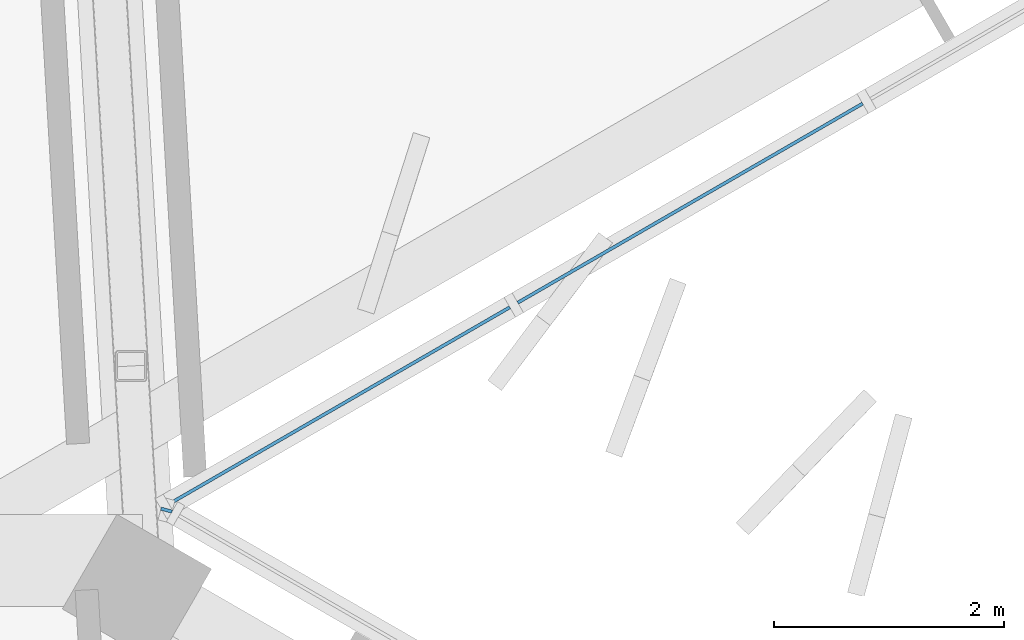
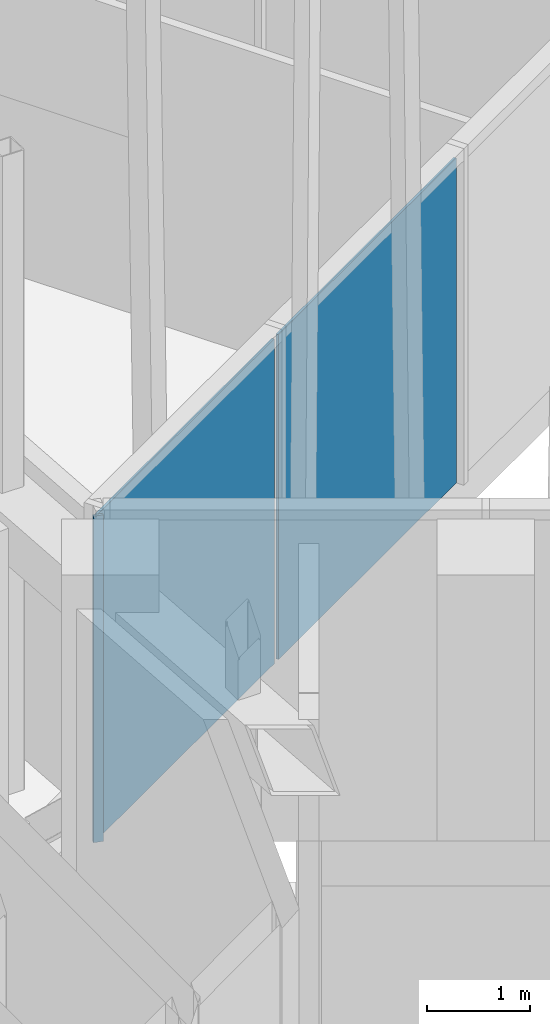
# One storey, part 16 of 29: 3 plates, 2 elements without a shape of their own.
"""IFC4 building model written with IfcOpenShell, lengths in metres."""

from ifc_helpers import new_model, si_unit, direction, frame, origin, origin_2d, place, context, subcontext, project, spatial, rectangle, extrude, material, layer, layer_set, type_object, element, aggregate, save


model = new_model("IFC4")

# Units and contexts
model_context = context("Model", 3, precision=1e-05, world=origin(), true_north=direction((0.0, 1.0)))
body_context = subcontext(model_context, "Body", "Model", "MODEL_VIEW")
ifc_project = project(units=[si_unit("LENGTHUNIT", "METRE"), si_unit("AREAUNIT", "SQUARE_METRE"), si_unit("VOLUMEUNIT", "CUBIC_METRE"), si_unit("PLANEANGLEUNIT", "RADIAN"), si_unit("MASSUNIT", "GRAM", prefix="KILO")], contexts=[model_context])

# Site, building, storey
site_placement = place(None, origin())
site = spatial("IfcSite", under=ifc_project, at=site_placement, CompositionType="ELEMENT")
building_placement = place(site_placement, origin())
building = spatial("IfcBuilding", under=site, at=building_placement, Name="Ayvan Gate Tower", CompositionType="ELEMENT")
storey_placement = place(building_placement, frame((0.0, 0.0, 186.699951171875)))
storey = spatial("IfcBuildingStorey", under=building, at=storey_placement, Name="L50", CompositionType="ELEMENT", Elevation=186.699951171875)

# Curtain wall, plates
ifc_material_1 = material(Name="Bronze anodised aluminium", Category="aluminium")
ifc_layer_1 = layer(ifc_material_1, 0.199951171875)
ifc_layer_set_1 = layer_set([ifc_layer_1], Name="Bronze anodised aluminium")
curtain_wall_type_1 = type_object("IfcCurtainWallType", Name="Stick curtain wall CW-4", PredefinedType="NOTDEFINED", material=ifc_layer_set_1)
curtain_wall_1_placement = place(storey_placement, origin())
curtain_wall_1 = element("IfcCurtainWall", 1, at=curtain_wall_1_placement, inside=storey, type_object=curtain_wall_type_1, Name="Stick curtain wall CW-4 L50", PredefinedType="NOTDEFINED")
ifc_material_2 = material(Name="Clear low-iron laminated glass", Category="glass")
ifc_layer_2 = layer(ifc_material_2, 0.028076171875)
ifc_layer_set_2 = layer_set([ifc_layer_2], Name="Clear low-iron laminated glass")
plate_type_1 = type_object("IfcPlateType", Name="Stick curtain wall CW-4 glass panel", PredefinedType="CURTAIN_PANEL", material=ifc_layer_set_2)
plate_1_placement = place(storey_placement, frame((2.614990234375, 21.35498046875, 0.0), z_axis=(0.0, 0.0, 1.0), x_axis=(0.866025403784, 0.5, 0.0)))
plate_1 = element("IfcPlate", 2, at=plate_1_placement, type_object=plate_type_1, Name="CW-4 glass panel 1", PredefinedType="CURTAIN_PANEL", context=body_context, shape_type="SweptSolid", body=[
    extrude(rectangle(XDim=3.463134765625, YDim=0.028076171875, at=origin_2d()), origin(), (0.0, 0.0, 1.0), 3.860107421875),
])
ifc_material_3 = material(Name="Pale anodised aluminium composite panel", Category="aluminium")
ifc_layer_3 = layer(ifc_material_3, 0.028076171875)
ifc_layer_set_3 = layer_set([ifc_layer_3], Name="Pale anodised aluminium composite panel")
plate_type_2 = type_object("IfcPlateType", Name="Stick curtain wall CW-4 solid panel", PredefinedType="CURTAIN_PANEL", material=ifc_layer_set_3)
plate_2_placement = place(storey_placement, frame((5.683349609375, 23.126708984375, 0.0), z_axis=(0.0, 0.0, 1.0), x_axis=(0.866025403784, 0.5, 0.0)))
plate_2 = element("IfcPlate", 3, at=plate_2_placement, type_object=plate_type_2, Name="CW-4 solid panel 2", PredefinedType="CURTAIN_PANEL", context=body_context, shape_type="SweptSolid", body=[
    extrude(rectangle(XDim=3.463134765625, YDim=0.028076171875, at=origin_2d()), origin(), (0.0, 0.0, 1.0), 3.860107421875),
])
aggregate(curtain_wall_1, [plate_1, plate_2])

# Curtain wall, plate
ifc_layer_4 = layer(ifc_material_1, 0.199951171875)
ifc_layer_set_4 = layer_set([ifc_layer_4], Name="Bronze anodised aluminium")
curtain_wall_type_2 = type_object("IfcCurtainWallType", Name="Stick curtain wall CW-6", PredefinedType="NOTDEFINED", material=ifc_layer_set_4)
curtain_wall_2_placement = place(storey_placement, origin())
curtain_wall_2 = element("IfcCurtainWall", 4, at=curtain_wall_2_placement, inside=storey, type_object=curtain_wall_type_2, Name="Stick curtain wall CW-6 L50", PredefinedType="NOTDEFINED")
ifc_layer_5 = layer(ifc_material_2, 0.028076171875)
ifc_layer_set_5 = layer_set([ifc_layer_5], Name="Clear low-iron laminated glass")
plate_type_3 = type_object("IfcPlateType", Name="Stick curtain wall CW-6 glass panel", PredefinedType="CURTAIN_PANEL", material=ifc_layer_set_5)
plate_3_placement = place(storey_placement, frame((1.128662109375, 20.45654296875, 0.0), z_axis=(0.0, 0.0, 1.0), x_axis=(-0.965925826289, 0.258819045103, 0.0)))
plate_3 = element("IfcPlate", 5, at=plate_3_placement, type_object=plate_type_3, Name="CW-6 glass panel 1", PredefinedType="CURTAIN_PANEL", context=body_context, shape_type="SweptSolid", body=[
    extrude(rectangle(XDim=0.099365234375, YDim=0.028076171875, at=origin_2d()), origin(), (0.0, 0.0, 1.0), 3.8798828125),
])
aggregate(curtain_wall_2, [plate_3])

save(model, "model.ifc")
